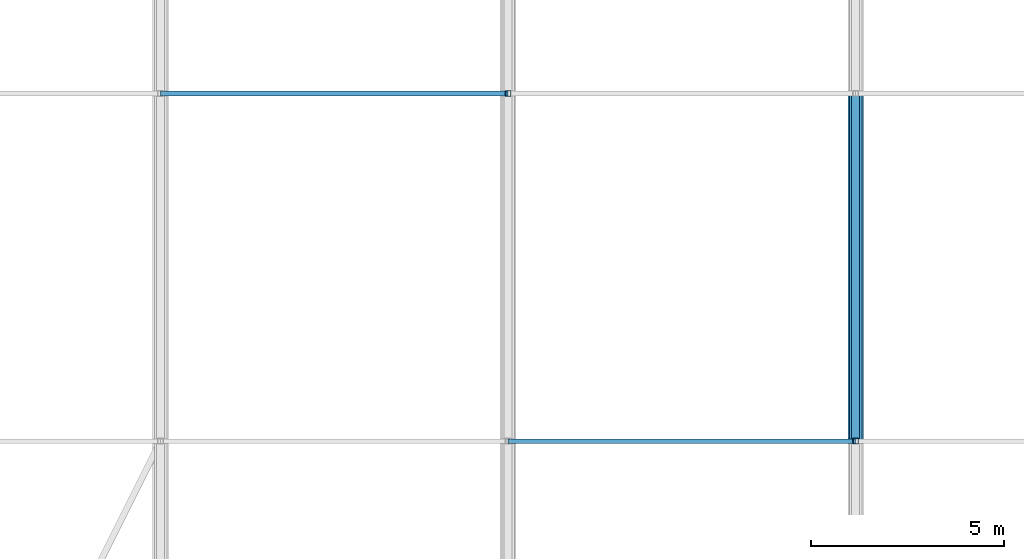
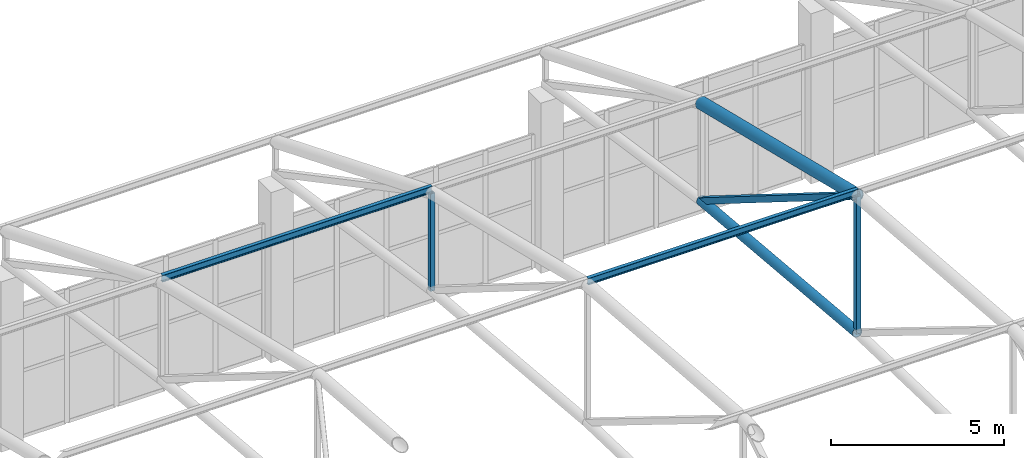
# One storey, part 127 of 223: 7 members.
"""IFC4 building model written with IfcOpenShell, lengths in metres."""

from ifc_helpers import new_model, si_unit, direction, frame, origin, origin_2d, place, context, subcontext, project, spatial, hollow_rectangle, hollow_circle, i_section, extrude, material, material_profile, profile_set, type_object, element, save


model = new_model("IFC4")

# Units and contexts
model_context = context("Model", 3, precision=1e-05, world=origin(), true_north=direction((0.0, 1.0)))
body_context = subcontext(model_context, "Body", "Model", "MODEL_VIEW")
ifc_project = project(units=[si_unit("LENGTHUNIT", "METRE"), si_unit("AREAUNIT", "SQUARE_METRE"), si_unit("VOLUMEUNIT", "CUBIC_METRE"), si_unit("PLANEANGLEUNIT", "RADIAN"), si_unit("MASSUNIT", "GRAM", prefix="KILO")], contexts=[model_context])

# Site, building, storey
site_placement = place(None, origin())
site = spatial("IfcSite", under=ifc_project, at=site_placement, CompositionType="ELEMENT")
building_placement = place(site_placement, origin())
building = spatial("IfcBuilding", under=site, at=building_placement, Name="Dornveld Trade and Exhibition Forum", CompositionType="ELEMENT")
storey_placement = place(building_placement, frame((0.0, 0.0, 6.0)))
storey = spatial("IfcBuildingStorey", under=building, at=storey_placement, Name="L01", CompositionType="ELEMENT", Elevation=6.0)

# Members
ifc_material_1 = material(Name="Steel S355J2", Category="steel")
ifc_material_profile_1 = material_profile(ifc_material_1, hollow_circle(Radius=0.161865234375, WallThickness=0.01611328125, at=origin_2d()), Name="CHS 323.9x16")
ifc_profile_set_1 = profile_set([ifc_material_profile_1], Name="Steel S355J2")
member_type_1 = type_object("IfcMemberType", Name="MEM-ARCH-BC", PredefinedType="CHORD", material=ifc_profile_set_1)
member_1_placement = place(storey_placement, frame((126.0, 144.0, 8.4833984375), z_axis=(0.0, 0.996072164085, -0.088545151956), x_axis=(-1.0, 0.0, 0.0)))
element("IfcMember", 1, at=member_1_placement, inside=storey, type_object=member_type_1, Name="H1 truss 4 tie chord 5", PredefinedType="CHORD", context=body_context, shape_type="SweptSolid", body=[
    extrude(hollow_circle(Radius=0.161865234375, WallThickness=0.01611328125, at=origin_2d()), origin(), (0.0, 0.0, 1.0), 9.035400390625),
])
ifc_material_2 = material(Name="Steel S355J2", Category="steel")
ifc_material_profile_2 = material_profile(ifc_material_2, hollow_rectangle(XDim=0.14990234375, YDim=0.14990234375, WallThickness=0.008056640625, at=origin_2d()), Name="SHS 150x150x8")
ifc_profile_set_2 = profile_set([ifc_material_profile_2], Name="Steel S355J2")
member_type_2 = type_object("IfcMemberType", Name="MEM-ARCH-STR", PredefinedType="STRUT", material=ifc_profile_set_2)
member_2_placement = place(storey_placement, frame((117.0, 153.0, 7.683349609375), z_axis=(0.0, 0.0, 1.0), x_axis=(1.0, 0.0, 0.0)))
element("IfcMember", 2, at=member_2_placement, inside=storey, type_object=member_type_2, Name="H1 truss 3 strut 6", PredefinedType="STRUT", context=body_context, shape_type="SweptSolid", body=[
    extrude(hollow_rectangle(XDim=0.14990234375, YDim=0.14990234375, WallThickness=0.008056640625, at=origin_2d()), origin(), (0.0, 0.0, 1.0), 3.433349609375),
])
member_3_placement = place(storey_placement, frame((126.0, 144.0, 8.4833984375), z_axis=(0.0, 0.0, 1.0), x_axis=(1.0, 0.0, 0.0)))
element("IfcMember", 3, at=member_3_placement, inside=storey, type_object=member_type_2, Name="H1 truss 4 strut 5", PredefinedType="STRUT", context=body_context, shape_type="SweptSolid", body=[
    extrude(hollow_rectangle(XDim=0.14990234375, YDim=0.14990234375, WallThickness=0.008056640625, at=origin_2d()), origin(), (0.0, 0.0, 1.0), 4.833251953125),
])
ifc_material_3 = material(Name="Steel S355J2", Category="steel")
ifc_material_profile_3 = material_profile(ifc_material_3, hollow_circle(Radius=0.203125, WallThickness=0.02001953125, at=origin_2d()), Name="CHS 406.4x20")
ifc_profile_set_3 = profile_set([ifc_material_profile_3], Name="Steel S355J2")
member_type_3 = type_object("IfcMemberType", Name="MEM-ARCH-TC", PredefinedType="CHORD", material=ifc_profile_set_3)
member_4_placement = place(storey_placement, frame((126.0, 144.0, 13.316650390625), z_axis=(0.0, 0.971400222114, -0.237448117444), x_axis=(-1.0, 0.0, 0.0)))
element("IfcMember", 4, at=member_4_placement, inside=storey, type_object=member_type_3, Name="H1 truss 4 top chord 5", PredefinedType="CHORD", context=body_context, shape_type="SweptSolid", body=[
    extrude(hollow_circle(Radius=0.203125, WallThickness=0.02001953125, at=origin_2d()), origin(), (0.0, 0.0, 1.0), 9.264892578125),
])
ifc_material_4 = material(Name="Steel S355J2", Category="steel")
ifc_material_profile_4 = material_profile(ifc_material_4, hollow_rectangle(XDim=0.199951171875, YDim=0.199951171875, WallThickness=0.010009765625, at=origin_2d()), Name="SHS 200x200x10")
ifc_profile_set_4 = profile_set([ifc_material_profile_4], Name="Steel S355J2")
member_type_4 = type_object("IfcMemberType", Name="MEM-ARCH-WEB", PredefinedType="BRACE", material=ifc_profile_set_4)
member_5_placement = place(storey_placement, frame((126.0, 153.0, 7.683349609375), z_axis=(0.0, -0.847646750348, 0.530561011218), x_axis=(1.0, 0.0, 0.0)))
element("IfcMember", 5, at=member_5_placement, inside=storey, type_object=member_type_4, Name="H1 truss 4 web 5", PredefinedType="BRACE", context=body_context, shape_type="SweptSolid", body=[
    extrude(hollow_rectangle(XDim=0.199951171875, YDim=0.199951171875, WallThickness=0.010009765625, at=origin_2d()), origin(), (0.0, 0.0, 1.0), 10.61767578125),
])
ifc_material_5 = material(Name="Steel S355J2", Category="steel")
ifc_material_profile_5 = material_profile(ifc_material_5, i_section(OverallWidth=0.1201171875, OverallDepth=0.239990234375, WebThickness=0.006103515625, FlangeThickness=0.009765625, FilletRadius=0.014892578125, at=origin_2d()), Name="IPE 240")
ifc_profile_set_5 = profile_set([ifc_material_profile_5], Name="Steel S355J2")
member_type_5 = type_object("IfcMemberType", Name="MEM-PURLIN-240", PredefinedType="PURLIN", material=ifc_profile_set_5)
for number, where, z_axis, x_axis, name in (
    (6, (108.0, 153.0, 11.248779296875), (1.0, 0.0, 0.0), (0.0, 1.0, 0.0), "H1 bay 2 roof purlin 6"),
    (7, (117.0, 144.0, 13.44873046875), (1.0, 0.0, 0.0), (0.0, 1.0, 0.0), "H1 bay 3 roof purlin 5"),
):
    element("IfcMember", number, at=place(storey_placement, frame(where, z_axis=z_axis, x_axis=x_axis)), inside=storey, type_object=member_type_5, Name=name, PredefinedType="PURLIN", context=body_context, shape_type="SweptSolid", body=[
        extrude(i_section(OverallWidth=0.1201171875, OverallDepth=0.239990234375, WebThickness=0.006103515625, FlangeThickness=0.009765625, FilletRadius=0.014892578125, at=origin_2d()), origin(), (0.0, 0.0, 1.0), 9.0),
    ])

save(model, "model.ifc")
